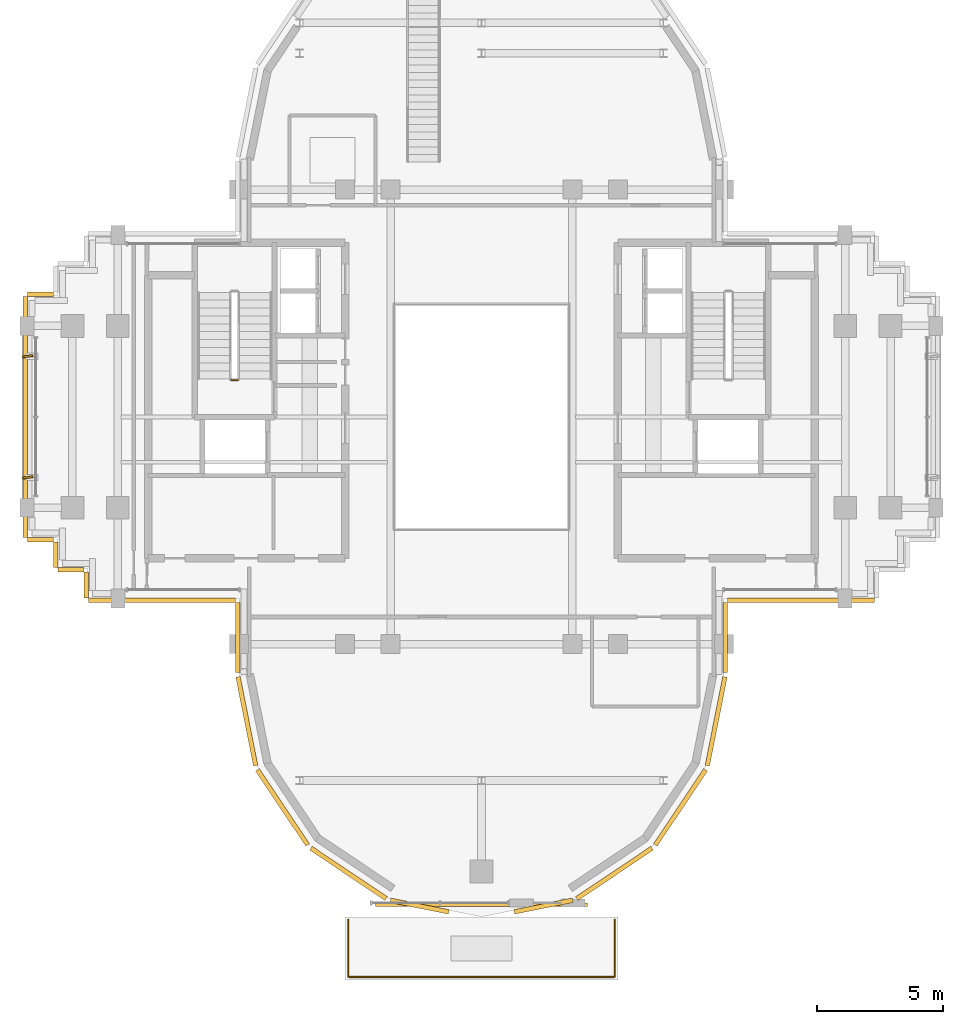
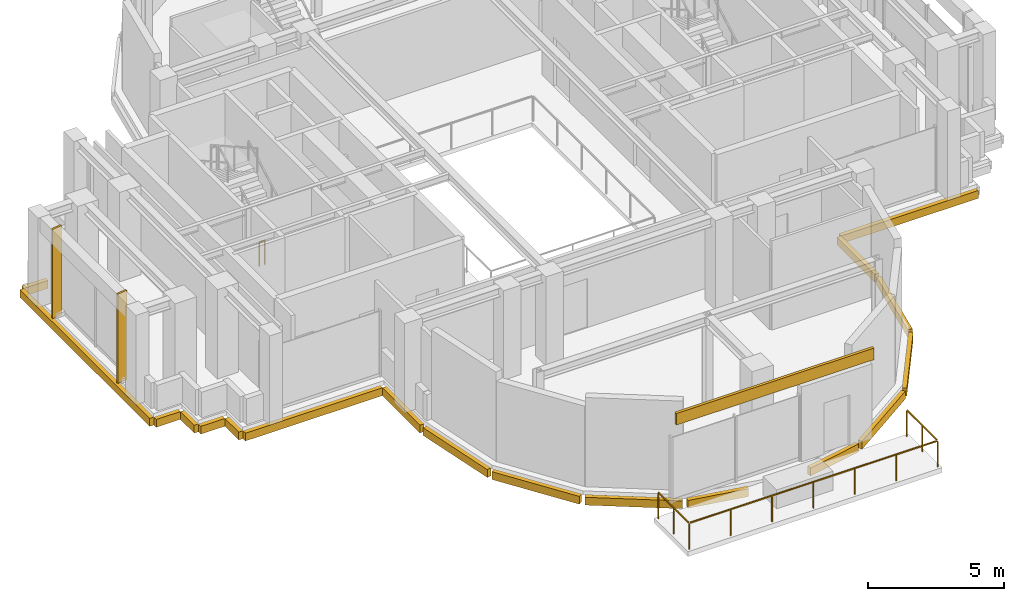
# One storey, part 11 of 14: 19 coverings, 2 railings, 2 shading devices.
"""IFC4 building model written with IfcOpenShell, lengths in metres."""

from ifc_helpers import new_model, si_unit, direction, frame, origin, origin_2d, place, context, subcontext, project, spatial, rectangle, extrude, source, transform, mapped, material, layer, layer_set, type_object, element, save


model = new_model("IFC4")

# Units and contexts
model_context = context("Model", 3, precision=1e-05, world=origin(), true_north=direction((0.0, 1.0)))
body_context = subcontext(model_context, "Body", "Model", "MODEL_VIEW")
ifc_project = project(units=[si_unit("LENGTHUNIT", "METRE"), si_unit("AREAUNIT", "SQUARE_METRE"), si_unit("VOLUMEUNIT", "CUBIC_METRE"), si_unit("PLANEANGLEUNIT", "RADIAN"), si_unit("MASSUNIT", "GRAM", prefix="KILO")], contexts=[model_context])

# Site, building, storey
site_placement = place(None, origin())
site = spatial("IfcSite", under=ifc_project, at=site_placement, CompositionType="ELEMENT")
building_placement = place(site_placement, origin())
building = spatial("IfcBuilding", under=site, at=building_placement, Name="Keilestroom Media Tower", CompositionType="ELEMENT")
storey_placement = place(building_placement, frame((0.0, 0.0, 219.39990234375)))
storey = spatial("IfcBuildingStorey", under=building, at=storey_placement, Name="L60", CompositionType="ELEMENT", Elevation=219.39990234375)

# Railings
ifc_material_1 = material(Name="Painted Steel Balustrade", Category="steel")
railing_type_1 = type_object("IfcRailingType", Name="Stair-Well-And-Landing-Guard-1100", PredefinedType="GUARDRAIL", material=ifc_material_1)
railing_1_placement = place(storey_placement, frame((-9.659912109375, 1.449951171875, 0.0)))
element("IfcRailing", 1, at=railing_1_placement, inside=storey, type_object=railing_type_1, Name="L60 ST-1 stair guard 4", PredefinedType="GUARDRAIL", context=body_context, shape_type="SweptSolid", body=[
    extrude(rectangle(XDim=0.048095703125, YDim=0.048095703125, at=origin_2d()), frame((0.0, 0.0, 1.076171875), z_axis=(-1.0, 0.0, 0.0), x_axis=(0.0, -1.0, 0.0)), (0.0, 0.0, 1.0), 0.239990234375),
    extrude(rectangle(XDim=0.0419921875, YDim=0.0419921875, at=origin_2d()), origin(), (0.0, 0.0, 1.0), 1.0439453125),
    extrude(rectangle(XDim=0.0419921875, YDim=0.0419921875, at=origin_2d()), frame((-0.239990234375, 0.0, 0.0)), (0.0, 0.0, 1.0), 1.0439453125),
])
ifc_material_2 = material(Name="Laminated Safety Glass & Bronze Aluminium", Category="aluminium")
railing_type_2 = type_object("IfcRailingType", Name="Terrace-And-Atrium-Guard-Balustrade-GD-SKY", PredefinedType="BALUSTRADE", material=ifc_material_2)
railing_2_placement = place(storey_placement, frame((-5.280029296875, -19.919921875, 0.0)))
element("IfcRailing", 2, at=railing_2_placement, inside=storey, type_object=railing_type_2, Name="L60 Terrace Perimeter Guard SG60-S", PredefinedType="BALUSTRADE", context=body_context, shape_type="SweptSolid", body=[
    extrude(rectangle(XDim=0.048095703125, YDim=0.048095703125, at=origin_2d()), frame((0.0, 0.0, 1.17578125), z_axis=(0.0, -1.0, 0.0), x_axis=(1.0, 0.0, 0.0)), (0.0, 0.0, 1.0), 2.2119140625),
    extrude(rectangle(XDim=0.048095703125, YDim=0.048095703125, at=origin_2d()), frame((0.048095703125, -2.260009765625, 1.17578125), z_axis=(1.0, 0.0, 0.0), x_axis=(0.0, 1.0, 0.0)), (0.0, 0.0, 1.0), 10.4638671875),
    extrude(rectangle(XDim=0.048095703125, YDim=0.048095703125, at=origin_2d()), frame((10.56005859375, -2.2119140625, 1.17578125), z_axis=(0.0, 1.0, 0.0), x_axis=(-1.0, 0.0, 0.0)), (0.0, 0.0, 1.0), 2.2119140625),
    extrude(rectangle(XDim=0.0419921875, YDim=0.0419921875, at=origin_2d()), origin(), (0.0, 0.0, 1.0), 1.143798828125),
    extrude(rectangle(XDim=0.0419921875, YDim=0.0419921875, at=origin_2d()), frame((0.0, -1.1298828125, 0.0)), (0.0, 0.0, 1.0), 1.143798828125),
    extrude(rectangle(XDim=0.0419921875, YDim=0.0419921875, at=origin_2d()), frame((0.0, -2.260009765625, 0.0)), (0.0, 0.0, 1.0), 1.143798828125),
    extrude(rectangle(XDim=0.0419921875, YDim=0.0419921875, at=origin_2d()), frame((1.760009765625, -2.260009765625, 0.0)), (0.0, 0.0, 1.0), 1.143798828125),
    extrude(rectangle(XDim=0.0419921875, YDim=0.0419921875, at=origin_2d()), frame((3.52001953125, -2.260009765625, 0.0)), (0.0, 0.0, 1.0), 1.143798828125),
    extrude(rectangle(XDim=0.0419921875, YDim=0.0419921875, at=origin_2d()), frame((5.280029296875, -2.260009765625, 0.0)), (0.0, 0.0, 1.0), 1.143798828125),
    extrude(rectangle(XDim=0.0419921875, YDim=0.0419921875, at=origin_2d()), frame((7.0400390625, -2.260009765625, 0.0)), (0.0, 0.0, 1.0), 1.143798828125),
    extrude(rectangle(XDim=0.0419921875, YDim=0.0419921875, at=origin_2d()), frame((8.800048828125, -2.260009765625, 0.0)), (0.0, 0.0, 1.0), 1.143798828125),
    extrude(rectangle(XDim=0.0419921875, YDim=0.0419921875, at=origin_2d()), frame((10.56005859375, -2.260009765625, 0.0)), (0.0, 0.0, 1.0), 1.143798828125),
    extrude(rectangle(XDim=0.0419921875, YDim=0.0419921875, at=origin_2d()), frame((10.56005859375, -1.1298828125, 0.0)), (0.0, 0.0, 1.0), 1.143798828125),
    extrude(rectangle(XDim=0.0419921875, YDim=0.0419921875, at=origin_2d()), frame((10.56005859375, 0.0, 0.0)), (0.0, 0.0, 1.0), 1.143798828125),
])

# Covering
ifc_material_3 = material(Name="Precast concrete C40/50", Category="concrete")
ifc_layer = layer(ifc_material_3, 0.1201171875)
ifc_layer_set = layer_set([ifc_layer], Name="Precast concrete C40/50")
covering_type = type_object("IfcCoveringType", Name="Exterior-Precast-Spandrel-Cladding-Panel-120", PredefinedType="CLADDING", material=ifc_layer_set)
shared_shape_1 = source(origin(), body_context, "Body", "SweptSolid", [
    extrude(rectangle(XDim=8.39990234375, YDim=0.1201171875, at=origin_2d()), origin(), (0.0, 0.0, 1.0), 0.52001953125),
])
covering_1_placement = place(storey_placement, frame((0.0, -19.320068359375, 3.5), z_axis=(0.0, 0.0, 1.0), x_axis=(1.0, 0.0, 0.0)))
element("IfcCovering", 3, at=covering_1_placement, inside=storey, type_object=covering_type, Name="L60 Precast Spandrel Cladding S", PredefinedType="CLADDING", context=body_context, shape_type="MappedRepresentation", body=[
    mapped(shared_shape_1, transform((0.0, 0.0, 0.0), x_axis=(1.0, 0.0, 0.0), y_axis=(0.0, 1.0, 0.0), z_axis=(0.0, 0.0, 1.0), scale=1.0)),
])

# Shading devices
ifc_material_4 = material(Name="Bronze Anodised Aluminium", Category="aluminium")
shading_device_type = type_object("IfcShadingDeviceType", Name="Facade-Vertical-Sunshade-Fin-SHD-1", PredefinedType="USERDEFINED", material=ifc_material_4)
shared_shape_2 = source(origin(), body_context, "Body", "SweptSolid", [
    extrude(rectangle(XDim=0.419921875, YDim=0.080078125, at=origin_2d()), origin(), (0.0, 0.0, 1.0), 4.010009765625),
])
for number, where, z_axis, x_axis, name in (
    (4, (-17.969970703125, -2.39990234375, 0.0), (0.0, 0.0, 1.0), (0.989751322388, 0.142801680073, 0.0), "L60 Twisting Sunshade Fin SHD-1 089"),
    (5, (-17.969970703125, 2.39990234375, 0.0), (0.0, 0.0, 1.0), (0.989751322388, 0.142801680073, 0.0), "L60 Twisting Sunshade Fin SHD-1 090"),
):
    element("IfcShadingDevice", number, at=place(storey_placement, frame(where, z_axis=z_axis, x_axis=x_axis)), inside=storey, type_object=shading_device_type, Name=name, ObjectType="SUNSHADE", PredefinedType="USERDEFINED", context=body_context, shape_type="MappedRepresentation", body=[
        mapped(shared_shape_2, transform((0.0, 0.0, 0.0), x_axis=(1.0, 0.0, 0.0), y_axis=(0.0, 1.0, 0.0), z_axis=(0.0, 0.0, 1.0), scale=1.0)),
    ])

# Coverings
shared_shape_3 = source(origin(), body_context, "Body", "SweptSolid", [
    extrude(rectangle(XDim=1.02001953125, YDim=0.179931640625, at=origin_2d()), origin(), (0.0, 0.0, 1.0), 0.35009765625),
])
for number, where, z_axis, x_axis, name in (
    (6, (-15.659912109375, -6.659912109375, -0.530029296875), (0.0, 0.0, 1.0), (0.0, 1.0, 0.0), "L60 Precast Slab-Edge Fascia Cornice 17"),
    (7, (-16.260009765625, -6.06005859375, -0.530029296875), (0.0, 0.0, 1.0), (-1.0, 0.0, 0.0), "L60 Precast Slab-Edge Fascia Cornice 18"),
    (8, (-16.860107421875, -5.4599609375, -0.530029296875), (0.0, 0.0, 1.0), (0.0, 1.0, 0.0), "L60 Precast Slab-Edge Fascia Cornice 19"),
    (9, (-17.4599609375, -4.860107421875, -0.530029296875), (0.0, 0.0, 1.0), (-1.0, 0.0, 0.0), "L60 Precast Slab-Edge Fascia Cornice 20"),
    (10, (-17.4599609375, 4.860107421875, -0.530029296875), (0.0, 0.0, 1.0), (1.0, 0.0, 0.0), "L60 Precast Slab-Edge Fascia Cornice 22"),
):
    element("IfcCovering", number, at=place(storey_placement, frame(where, z_axis=z_axis, x_axis=x_axis)), inside=storey, type_object=covering_type, Name=name, PredefinedType="CLADDING", context=body_context, shape_type="MappedRepresentation", body=[
        mapped(shared_shape_3, transform((0.0, 0.0, 0.0), x_axis=(1.0, 0.0, 0.0), y_axis=(0.0, 1.0, 0.0), z_axis=(0.0, 0.0, 1.0), scale=1.0)),
    ])
shared_shape_4 = source(origin(), body_context, "Body", "SweptSolid", [
    extrude(rectangle(XDim=5.820068359375, YDim=0.179931640625, at=origin_2d()), origin(), (0.0, 0.0, 1.0), 0.35009765625),
])
for number, where, z_axis, x_axis, name in (
    (11, (12.659912109375, -7.260009765625, -0.530029296875), (0.0, 0.0, 1.0), (-1.0, 0.0, 0.0), "L60 Precast Slab-Edge Fascia Cornice 05"),
    (12, (-12.659912109375, -7.260009765625, -0.530029296875), (0.0, 0.0, 1.0), (-1.0, 0.0, 0.0), "L60 Precast Slab-Edge Fascia Cornice 16"),
):
    element("IfcCovering", number, at=place(storey_placement, frame(where, z_axis=z_axis, x_axis=x_axis)), inside=storey, type_object=covering_type, Name=name, PredefinedType="CLADDING", context=body_context, shape_type="MappedRepresentation", body=[
        mapped(shared_shape_4, transform((0.0, 0.0, 0.0), x_axis=(1.0, 0.0, 0.0), y_axis=(0.0, 1.0, 0.0), z_axis=(0.0, 0.0, 1.0), scale=1.0)),
    ])
shared_shape_5 = source(origin(), body_context, "Body", "SweptSolid", [
    extrude(rectangle(XDim=2.765869140625, YDim=0.179931640625, at=origin_2d()), origin(), (0.0, 0.0, 1.0), 0.35009765625),
])
for number, where, z_axis, x_axis, name in (
    (13, (9.659912109375, -8.73291015625, -0.530029296875), (0.0, 0.0, 1.0), (0.0, -1.0, 0.0), "L60 Precast Slab-Edge Fascia Cornice 06"),
    (14, (-9.659912109375, -8.73291015625, -0.530029296875), (0.0, 0.0, 1.0), (0.0, 1.0, 0.0), "L60 Precast Slab-Edge Fascia Cornice 15"),
):
    element("IfcCovering", number, at=place(storey_placement, frame(where, z_axis=z_axis, x_axis=x_axis)), inside=storey, type_object=covering_type, Name=name, PredefinedType="CLADDING", context=body_context, shape_type="MappedRepresentation", body=[
        mapped(shared_shape_5, transform((0.0, 0.0, 0.0), x_axis=(1.0, 0.0, 0.0), y_axis=(0.0, 1.0, 0.0), z_axis=(0.0, 0.0, 1.0), scale=1.0)),
    ])
shared_shape_6 = source(origin(), body_context, "Body", "SweptSolid", [
    extrude(rectangle(XDim=3.58349609375, YDim=0.179931640625, at=origin_2d()), origin(), (0.0, 0.0, 1.0), 0.35009765625),
])
for number, where, z_axis, x_axis, name in (
    (15, (9.29296875, -12.051513671875, -0.530029296875), (0.0, 0.0, 1.0), (-0.195098880975, -0.980783577882, 0.0), "L60 Precast Slab-Edge Fascia Cornice 07"),
    (16, (-9.29296875, -12.051513671875, -0.530029296875), (0.0, 0.0, 1.0), (-0.195098880975, 0.980783577882, 0.0), "L60 Precast Slab-Edge Fascia Cornice 14"),
):
    element("IfcCovering", number, at=place(storey_placement, frame(where, z_axis=z_axis, x_axis=x_axis)), inside=storey, type_object=covering_type, Name=name, PredefinedType="CLADDING", context=body_context, shape_type="MappedRepresentation", body=[
        mapped(shared_shape_6, transform((0.0, 0.0, 0.0), x_axis=(1.0, 0.0, 0.0), y_axis=(0.0, 1.0, 0.0), z_axis=(0.0, 0.0, 1.0), scale=1.0)),
    ])
shared_shape_7 = source(origin(), body_context, "Body", "SweptSolid", [
    extrude(rectangle(XDim=3.589599609375, YDim=0.179931640625, at=origin_2d()), origin(), (0.0, 0.0, 1.0), 0.35009765625),
])
for number, where, z_axis, x_axis, name in (
    (17, (7.878662109375, -15.46435546875, -0.530029296875), (0.0, 0.0, 1.0), (-0.555574586577, -0.831466703332, 0.0), "L60 Precast Slab-Edge Fascia Cornice 08"),
    (18, (5.264404296875, -18.07861328125, -0.530029296875), (0.0, 0.0, 1.0), (-0.831466703332, -0.555574586577, 0.0), "L60 Precast Slab-Edge Fascia Cornice 09"),
    (19, (-5.264404296875, -18.07861328125, -0.530029296875), (0.0, 0.0, 1.0), (-0.831466703332, 0.555574586577, 0.0), "L60 Precast Slab-Edge Fascia Cornice 12"),
    (20, (-7.878662109375, -15.46435546875, -0.530029296875), (0.0, 0.0, 1.0), (-0.555574586577, 0.831466703332, 0.0), "L60 Precast Slab-Edge Fascia Cornice 13"),
):
    element("IfcCovering", number, at=place(storey_placement, frame(where, z_axis=z_axis, x_axis=x_axis)), inside=storey, type_object=covering_type, Name=name, PredefinedType="CLADDING", context=body_context, shape_type="MappedRepresentation", body=[
        mapped(shared_shape_7, transform((0.0, 0.0, 0.0), x_axis=(1.0, 0.0, 0.0), y_axis=(0.0, 1.0, 0.0), z_axis=(0.0, 0.0, 1.0), scale=1.0)),
    ])
shared_shape_8 = source(origin(), body_context, "Body", "SweptSolid", [
    extrude(rectangle(XDim=2.353515625, YDim=0.179931640625, at=origin_2d()), origin(), (0.0, 0.0, 1.0), 0.35009765625),
])
for number, where, z_axis, x_axis, name in (
    (21, (2.454833984375, -19.372802734375, -0.530029296875), (0.0, 0.0, 1.0), (-0.980783577882, -0.195098880975, 0.0), "L60 Precast Slab-Edge Fascia Cornice 10"),
    (22, (-2.454833984375, -19.372802734375, -0.530029296875), (0.0, 0.0, 1.0), (-0.980783577882, 0.195098880975, 0.0), "L60 Precast Slab-Edge Fascia Cornice 11"),
):
    element("IfcCovering", number, at=place(storey_placement, frame(where, z_axis=z_axis, x_axis=x_axis)), inside=storey, type_object=covering_type, Name=name, PredefinedType="CLADDING", context=body_context, shape_type="MappedRepresentation", body=[
        mapped(shared_shape_8, transform((0.0, 0.0, 0.0), x_axis=(1.0, 0.0, 0.0), y_axis=(0.0, 1.0, 0.0), z_axis=(0.0, 0.0, 1.0), scale=1.0)),
    ])
shared_shape_9 = source(origin(), body_context, "Body", "SweptSolid", [
    extrude(rectangle(XDim=9.5400390625, YDim=0.179931640625, at=origin_2d()), origin(), (0.0, 0.0, 1.0), 0.35009765625),
])
covering_2_placement = place(storey_placement, frame((-18.06005859375, 0.0, -0.530029296875), z_axis=(0.0, 0.0, 1.0), x_axis=(0.0, 1.0, 0.0)))
element("IfcCovering", 23, at=covering_2_placement, inside=storey, type_object=covering_type, Name="L60 Precast Slab-Edge Fascia Cornice 21", PredefinedType="CLADDING", context=body_context, shape_type="MappedRepresentation", body=[
    mapped(shared_shape_9, transform((0.0, 0.0, 0.0), x_axis=(1.0, 0.0, 0.0), y_axis=(0.0, 1.0, 0.0), z_axis=(0.0, 0.0, 1.0), scale=1.0)),
])

save(model, "model.ifc")
